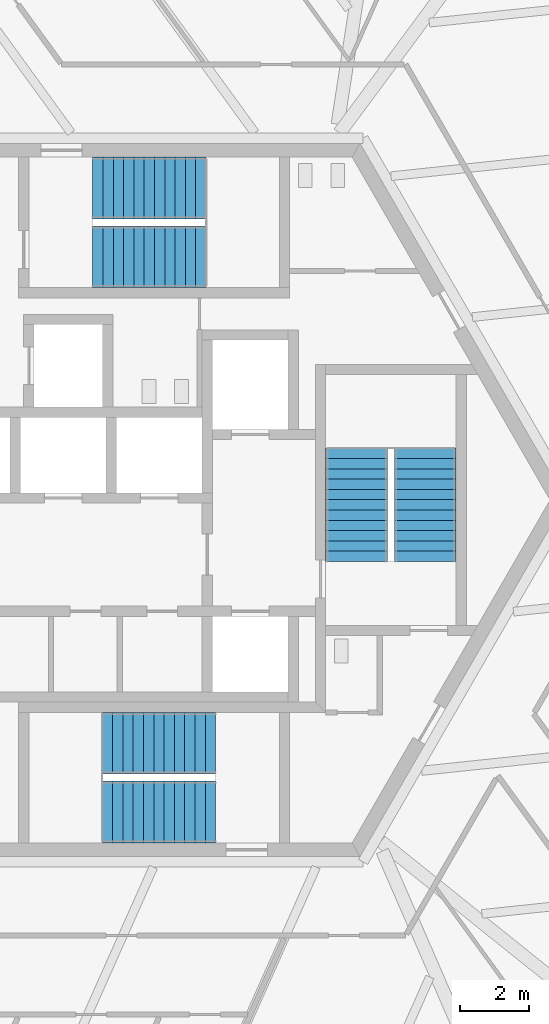
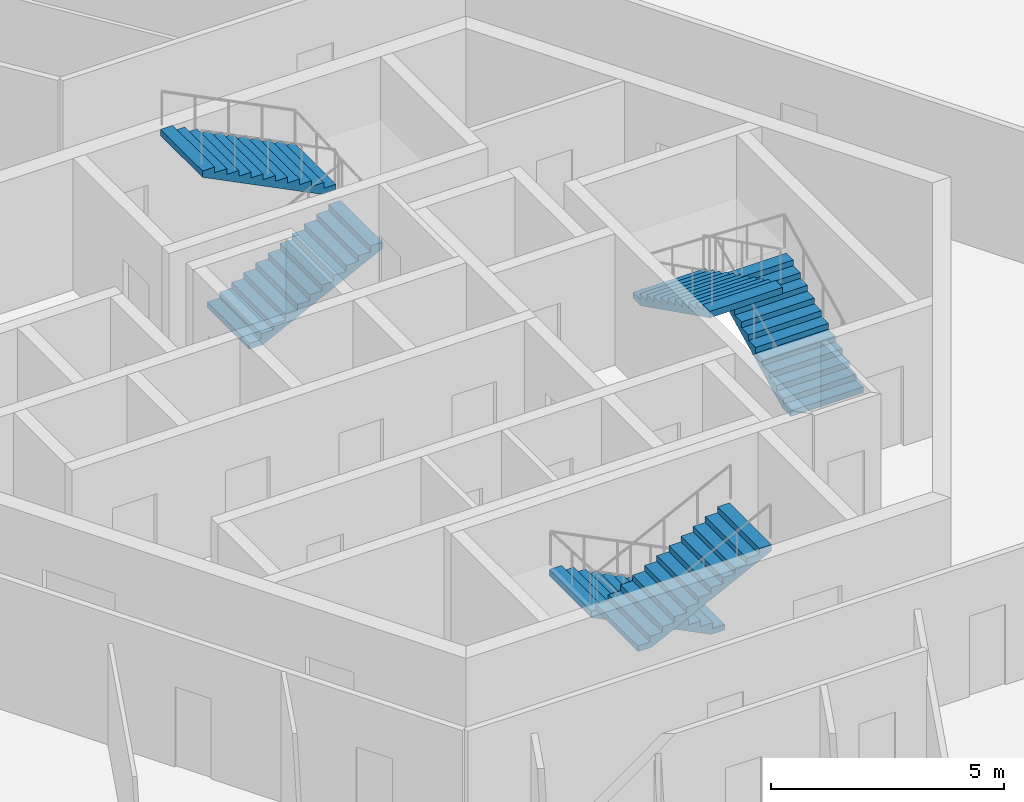
# One storey, part 15 of 19: 6 stair flights, 3 elements without a shape of their own.
"""IFC4 building model written with IfcOpenShell, lengths in metres."""

from ifc_helpers import new_model, si_unit, direction, frame, origin, place, context, subcontext, project, spatial, polyline, outline, extrude, source, transform, mapped, material, type_object, element, aggregate, save


model = new_model("IFC4")

# Units and contexts
model_context = context("Model", 3, precision=1e-05, world=origin(), true_north=direction((0.0, 1.0)))
body_context = subcontext(model_context, "Body", "Model", "MODEL_VIEW")
ifc_project = project(units=[si_unit("LENGTHUNIT", "METRE"), si_unit("AREAUNIT", "SQUARE_METRE"), si_unit("VOLUMEUNIT", "CUBIC_METRE"), si_unit("PLANEANGLEUNIT", "RADIAN"), si_unit("MASSUNIT", "GRAM", prefix="KILO")], contexts=[model_context])

# Site, building, storey
site_placement = place(None, origin())
site = spatial("IfcSite", under=ifc_project, at=site_placement, CompositionType="ELEMENT")
building_placement = place(site_placement, origin())
building = spatial("IfcBuilding", under=site, at=building_placement, Name="Triune Harvest Tower", CompositionType="ELEMENT")
storey_placement = place(building_placement, frame((0.0, 0.0, 76.5)))
storey = spatial("IfcBuildingStorey", under=building, at=storey_placement, Name="L18", CompositionType="ELEMENT", Elevation=76.5)

# Stair, stair flights
ifc_material_1 = material(Name="Concrete 40 MPa", Category="concrete")
stair_type = type_object("IfcStairType", Name="Exit stair 1800 half turn", PredefinedType="HALF_TURN_STAIR", material=ifc_material_1)
stair_1_placement = place(storey_placement, origin())
stair_1 = element("IfcStair", 1, at=stair_1_placement, inside=storey, type_object=stair_type, Name="Exit stair north", PredefinedType="HALF_TURN_STAIR")
ifc_material_2 = material(Name="Concrete 40 MPa", Category="concrete")
stair_flight_type = type_object("IfcStairFlightType", Name="Stair flight 1800", PredefinedType="STRAIGHT", material=ifc_material_2)
shared_shape = source(origin(), body_context, "Body", "SweptSolid", [
    extrude(outline(polyline([(0.0, 0.0), (0.0, 0.14990234375), (0.300048828125, 0.14990234375), (0.300048828125, 0.300048828125), (0.60009765625, 0.300048828125), (0.60009765625, 0.449951171875), (0.89990234375, 0.449951171875), (0.89990234375, 0.60009765625), (1.199951171875, 0.60009765625), (1.199951171875, 0.75), (1.5, 0.75), (1.5, 0.89990234375), (1.800048828125, 0.89990234375), (1.800048828125, 1.050048828125), (2.10009765625, 1.050048828125), (2.10009765625, 1.199951171875), (2.39990234375, 1.199951171875), (2.39990234375, 1.35009765625), (2.699951171875, 1.35009765625), (2.699951171875, 1.5), (3.0, 1.5), (3.0, 1.64990234375), (3.300048828125, 1.64990234375), (3.300048828125, 1.800048828125), (3.300048828125, 1.482421875), (0.335205078125, 0.0), (0.0, 0.0)])), frame((0.0, 0.89990234375, 0.0), z_axis=(0.0, -1.0, 0.0), x_axis=(1.0, 0.0, 0.0)), (0.0, 0.0, 1.0), 1.800048828125),
])
stair_flight_1_placement = place(storey_placement, frame((-1.7900390625, 7.090087890625, 0.0), z_axis=(0.0, 0.0, 1.0), x_axis=(1.0, 0.0, 0.0)))
stair_flight_1 = element("IfcStairFlight", 2, at=stair_flight_1_placement, type_object=stair_flight_type, Name="ST-1 flight 1", NumberOfRisers=12, NumberOfTreads=11, PredefinedType="STRAIGHT", RiserHeight=0.15, TreadLength=0.3, context=body_context, shape_type="MappedRepresentation", body=[
    mapped(shared_shape, transform((0.0, 0.0, 0.0), scale=1.0)),
])
stair_flight_2_placement = place(storey_placement, frame((1.510009765625, 9.090087890625, 1.800048828125), z_axis=(0.0, 0.0, 1.0), x_axis=(-1.0, 0.0, 0.0)))
stair_flight_2 = element("IfcStairFlight", 3, at=stair_flight_2_placement, type_object=stair_flight_type, Name="ST-1 flight 2", NumberOfRisers=12, NumberOfTreads=11, PredefinedType="STRAIGHT", RiserHeight=0.15, TreadLength=0.3, context=body_context, shape_type="MappedRepresentation", body=[
    mapped(shared_shape, transform((0.0, 0.0, 0.0), scale=1.0)),
])
aggregate(stair_1, [stair_flight_1, stair_flight_2])

stair_2_placement = place(storey_placement, origin())
stair_2 = element("IfcStair", 4, at=stair_2_placement, inside=storey, type_object=stair_type, Name="Exit stair south", PredefinedType="HALF_TURN_STAIR")
stair_flight_3_placement = place(storey_placement, frame((1.7900390625, -7.090087890625, 0.0), z_axis=(0.0, 0.0, 1.0), x_axis=(-1.0, 0.0, 0.0)))
stair_flight_3 = element("IfcStairFlight", 5, at=stair_flight_3_placement, type_object=stair_flight_type, Name="ST-2 flight 1", NumberOfRisers=12, NumberOfTreads=11, PredefinedType="STRAIGHT", RiserHeight=0.15, TreadLength=0.3, context=body_context, shape_type="MappedRepresentation", body=[
    mapped(shared_shape, transform((0.0, 0.0, 0.0), scale=1.0)),
])
stair_flight_4_placement = place(storey_placement, frame((-1.510009765625, -9.090087890625, 1.800048828125), z_axis=(0.0, 0.0, 1.0), x_axis=(1.0, 0.0, 0.0)))
stair_flight_4 = element("IfcStairFlight", 6, at=stair_flight_4_placement, type_object=stair_flight_type, Name="ST-2 flight 2", NumberOfRisers=12, NumberOfTreads=11, PredefinedType="STRAIGHT", RiserHeight=0.15, TreadLength=0.3, context=body_context, shape_type="MappedRepresentation", body=[
    mapped(shared_shape, transform((0.0, 0.0, 0.0), scale=1.0)),
])
aggregate(stair_2, [stair_flight_3, stair_flight_4])

stair_3_placement = place(storey_placement, origin())
stair_3 = element("IfcStair", 7, at=stair_3_placement, inside=storey, type_object=stair_type, Name="Exit stair east", PredefinedType="HALF_TURN_STAIR")
stair_flight_5_placement = place(storey_placement, frame((7.89990234375, -1.7900390625, 0.0), z_axis=(0.0, 0.0, 1.0), x_axis=(0.0, 1.0, 0.0)))
stair_flight_5 = element("IfcStairFlight", 8, at=stair_flight_5_placement, type_object=stair_flight_type, Name="ST-3 flight 1", NumberOfRisers=12, NumberOfTreads=11, PredefinedType="STRAIGHT", RiserHeight=0.15, TreadLength=0.3, context=body_context, shape_type="MappedRepresentation", body=[
    mapped(shared_shape, transform((0.0, 0.0, 0.0), scale=1.0)),
])
stair_flight_6_placement = place(storey_placement, frame((5.89990234375, 1.510009765625, 1.800048828125), z_axis=(0.0, 0.0, 1.0), x_axis=(0.0, -1.0, 0.0)))
stair_flight_6 = element("IfcStairFlight", 9, at=stair_flight_6_placement, type_object=stair_flight_type, Name="ST-3 flight 2", NumberOfRisers=12, NumberOfTreads=11, PredefinedType="STRAIGHT", RiserHeight=0.15, TreadLength=0.3, context=body_context, shape_type="MappedRepresentation", body=[
    mapped(shared_shape, transform((0.0, 0.0, 0.0), scale=1.0)),
])
aggregate(stair_3, [stair_flight_5, stair_flight_6])

save(model, "model.ifc")
